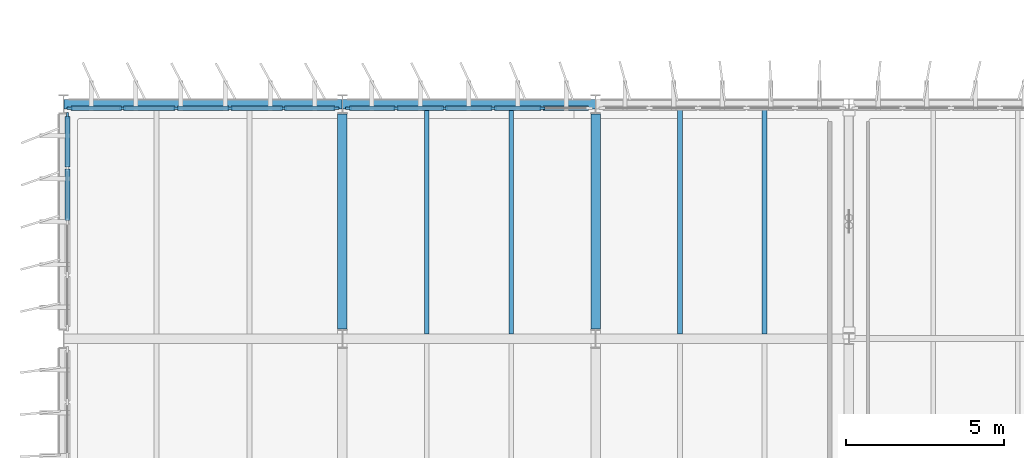
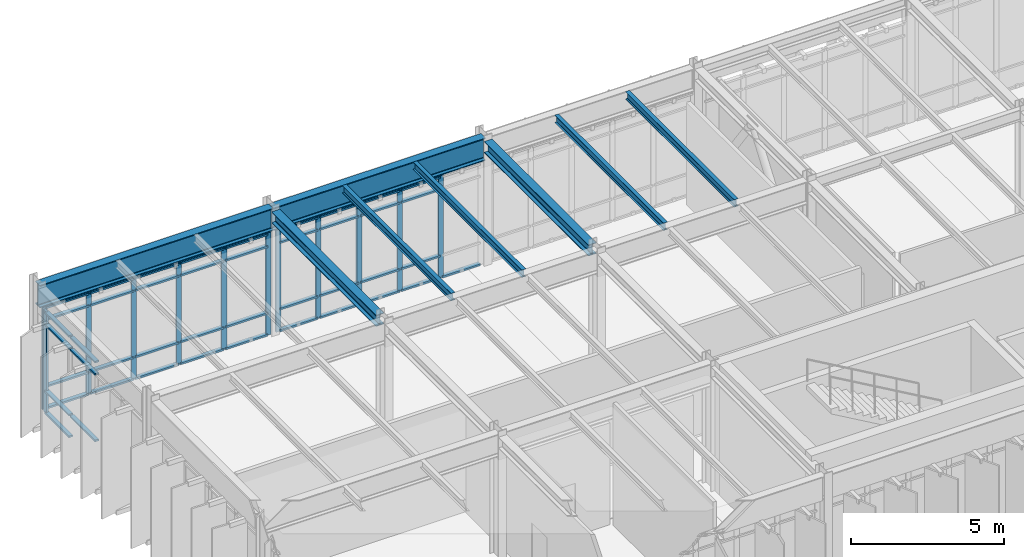
# One storey, part 10 of 48: 56 members, 8 beams, 3 elements without a shape of their own.
"""IFC4 building model written with IfcOpenShell, lengths in metres."""

import ifcopenshell
import ifcopenshell.guid

model = None  # the IFC model being written
_history = None  # IfcOwnerHistory: only IFC2X3 demands one
_inside = {}  # id of a spatial element -> (the spatial element, [elements in it])
_under = {}  # id of a project, library or spatial element -> (it, [spatial elements below it])
_declared = {}  # id of a project -> (the project, [libraries it declares])
_typed = {}  # id of a type object -> (the type object, [elements of that type])
_made_of = {}  # id of a material, layer set ... -> (it, [elements and type objects made of it])


def new_model(schema):
    """Start an empty IFC model of exactly this schema.

    Asked for "IFC4X3", IfcOpenShell would pick the latest addendum, in which some entities
    have other attributes; the version numbers below select the first issue.
    IFC2X3 requires an IfcOwnerHistory on every rooted entity: one is made here for all.
    """
    global model, _history
    if schema == "IFC4X3":
        model = ifcopenshell.file(schema_version=(4, 3, 0, 0))
    else:
        model = ifcopenshell.file(schema=schema)
    _inside.clear()
    _under.clear()
    _declared.clear()
    _typed.clear()
    _made_of.clear()
    _history = None
    if model.schema == "IFC2X3":
        org = make("IfcOrganization", Name="unknown")
        user = make(
            "IfcPersonAndOrganization",
            ThePerson=make("IfcPerson", FamilyName="unknown"),
            TheOrganization=org,
        )
        app = make(
            "IfcApplication",
            ApplicationDeveloper=org,
            Version="unknown",
            ApplicationFullName="unknown",
            ApplicationIdentifier="unknown",
        )
        _history = make(
            "IfcOwnerHistory",
            OwningUser=user,
            OwningApplication=app,
            ChangeAction="ADDED",
            CreationDate=0,
        )
    return model


def make(cls, **values):
    """One entity of the class cls with the attributes given. An attribute that is None is left unset."""
    return model.create_entity(
        cls, **{name: value for name, value in values.items() if value is not None}
    )


def rooted(cls, **values):
    """An entity with a GlobalId (a new one), such as an element, a storey or a relation."""
    return make(cls, GlobalId=ifcopenshell.guid.new(), OwnerHistory=_history, **values)


def si_unit(unit_type, name, prefix=None):
    """IfcSIUnit, for example si_unit("LENGTHUNIT", "METRE", prefix="MILLI")."""
    return make("IfcSIUnit", UnitType=unit_type, Prefix=prefix, Name=name)


def assignment(units):
    """IfcUnitAssignment: the units of a project."""
    return None if units is None else make("IfcUnitAssignment", Units=units)


def point(xyz):
    """IfcCartesianPoint."""
    return None if xyz is None else make("IfcCartesianPoint", Coordinates=xyz)


def direction(xyz):
    """IfcDirection."""
    return None if xyz is None else make("IfcDirection", DirectionRatios=xyz)


def frame(location, z_axis=None, x_axis=None):
    """IfcAxis2Placement3D, a coordinate frame: its origin and axes. An axis left out is left unset."""
    return make(
        "IfcAxis2Placement3D",
        Location=point(location),
        Axis=direction(z_axis),
        RefDirection=direction(x_axis),
    )


def frame_2d(location, x_axis=None):
    """IfcAxis2Placement2D, a coordinate frame in the plane: its origin and x axis."""
    return make(
        "IfcAxis2Placement2D", Location=point(location), RefDirection=direction(x_axis)
    )


def origin():
    """The frame at (0, 0, 0) with its axes left unset."""
    return frame((0.0, 0.0, 0.0))


def origin_2d():
    """The frame at (0, 0) in the plane with its x axis left unset."""
    return frame_2d((0.0, 0.0))


def place(relative_to, where):
    """IfcLocalPlacement: puts the frame where relative to a parent placement (None: the world)."""
    return make(
        "IfcLocalPlacement", PlacementRelTo=relative_to, RelativePlacement=where
    )


def context(
    kind, dimensions, precision=None, world=None, true_north=None, identifier=None
):
    """IfcGeometricRepresentationContext, for example the 3D "Model" context."""
    return make(
        "IfcGeometricRepresentationContext",
        ContextIdentifier=identifier,
        ContextType=kind,
        CoordinateSpaceDimension=dimensions,
        Precision=precision,
        WorldCoordinateSystem=world,
        TrueNorth=true_north,
    )


def subcontext(parent, identifier, kind, view, scale=None):
    """IfcGeometricRepresentationSubContext, for example "Body" below "Model"."""
    return make(
        "IfcGeometricRepresentationSubContext",
        ContextIdentifier=identifier,
        ContextType=kind,
        ParentContext=parent,
        TargetScale=scale,
        TargetView=view,
    )


def project(units=None, contexts=None):
    """IfcProject with its units and contexts."""
    return rooted(
        "IfcProject",
        Name="project",
        RepresentationContexts=contexts,
        UnitsInContext=assignment(units),
    )


def spatial(cls, under=None, at=None, **own):
    """A site, building, storey or space (cls), placed at a placement, below another one or the project."""
    s = rooted(cls, ObjectPlacement=at, **own)
    if under is not None:
        _under.setdefault(under.id(), (under, []))[1].append(s)
    return s


def profile(cls, at=None, kind="AREA", **sizes):
    """A parametric profile (cls). Its sizes go by their IFC names, for example OverallWidth=200.0."""
    return make(cls, ProfileType=kind, Position=at, **sizes)


def rectangle(**sizes):
    """IfcRectangleProfileDef."""
    return profile("IfcRectangleProfileDef", **sizes)


def i_section(**sizes):
    """IfcIShapeProfileDef."""
    return profile("IfcIShapeProfileDef", **sizes)


def extrude(swept, where, along, depth):
    """IfcExtrudedAreaSolid: the profile swept, set in the frame where, extruded along a direction by depth."""
    return make(
        "IfcExtrudedAreaSolid",
        SweptArea=swept,
        Position=where,
        ExtrudedDirection=direction(along),
        Depth=depth,
    )


def shape(context_of_items, identifier, shape_type, items):
    """IfcShapeRepresentation: the items that make up one representation, for example the "Body"."""
    return make(
        "IfcShapeRepresentation",
        ContextOfItems=context_of_items,
        RepresentationIdentifier=identifier,
        RepresentationType=shape_type,
        Items=items,
    )


def material(Name=None, Category=None):
    """IfcMaterial."""
    return make("IfcMaterial", Name=Name, Category=Category)


def layer(
    of_material, thickness, ventilated=None, Name=None, Category=None, Priority=None
):
    """IfcMaterialLayer: one layer of a wall or slab, of a material (None: an air gap)."""
    return make(
        "IfcMaterialLayer",
        Material=of_material,
        LayerThickness=thickness,
        IsVentilated=ventilated,
        Name=Name,
        Category=Category,
        Priority=Priority,
    )


def layer_set(layers, Name=None):
    """IfcMaterialLayerSet."""
    return make("IfcMaterialLayerSet", MaterialLayers=layers, LayerSetName=Name)


def material_profile(
    of_material, cross_section, Name=None, Category=None, Priority=None
):
    """IfcMaterialProfile: a cross section and its material."""
    return make(
        "IfcMaterialProfile",
        Name=Name,
        Material=of_material,
        Profile=cross_section,
        Priority=Priority,
        Category=Category,
    )


def profile_set(profiles, Name=None, composite=None):
    """IfcMaterialProfileSet."""
    return make(
        "IfcMaterialProfileSet",
        Name=Name,
        MaterialProfiles=profiles,
        CompositeProfile=composite,
    )


def made_of(thing, what):
    """Note that an element or type object is made of a material, layer set ...; save() writes the relation."""
    if what is not None:
        _made_of.setdefault(what.id(), (what, []))[1].append(thing)
    return thing


def type_object(cls, material=None, **own):
    """A type object (cls), such as IfcWallType, which elements share."""
    return made_of(rooted(cls, **own), material)


def element(
    cls,
    number,
    at=None,
    inside=None,
    cuts=None,
    type_object=None,
    material=None,
    context=None,
    identifier="Body",
    shape_type=None,
    held_by="IfcProductDefinitionShape",
    body=None,
    shapes=None,
    **own,
):
    """One element of the class cls, such as IfcWall. Its Tag is "e" and its number.

    at: its placement. inside: the storey or other place that contains it. cuts: it is an
    opening in that element (IfcRelVoidsElement). A single representation is given by context,
    identifier, shape_type and body (its items); several are given by shapes. held_by: the class
    of the entity that holds the representations. save() writes the other relations.
    """
    e = rooted(cls, Tag="e%d" % number, ObjectPlacement=at, **own)
    if body is not None:
        shapes = [shape(context, identifier, shape_type, body)]
    if shapes is not None:
        e.Representation = make(held_by, Representations=shapes)
    if inside is not None:
        _inside.setdefault(inside.id(), (inside, []))[1].append(e)
    if cuts is not None:
        rooted(
            "IfcRelVoidsElement", RelatingBuildingElement=cuts, RelatedOpeningElement=e
        )
    if type_object is not None:
        _typed.setdefault(type_object.id(), (type_object, []))[1].append(e)
    return made_of(e, material)


def aggregate(whole, parts):
    """IfcRelAggregates: a whole, such as a stair, and the parts it consists of."""
    return rooted("IfcRelAggregates", RelatingObject=whole, RelatedObjects=parts)


def save(model, path):
    """Write the relations noted so far, then the file.

    IfcRelAggregates (storeys below a building ...), IfcRelContainedInSpatialStructure (elements
    in a storey), IfcRelDefinesByType, IfcRelAssociatesMaterial and IfcRelDeclares: one each for
    every whole, place, type object, material and project.
    """
    for whole, parts in _under.values():
        aggregate(whole, parts)
    for where, things in _inside.values():
        rooted(
            "IfcRelContainedInSpatialStructure",
            RelatedElements=things,
            RelatingStructure=where,
        )
    for kind, things in _typed.values():
        rooted("IfcRelDefinesByType", RelatedObjects=things, RelatingType=kind)
    for what, things in _made_of.values():
        rooted("IfcRelAssociatesMaterial", RelatedObjects=things, RelatingMaterial=what)
    for by, libraries in _declared.values():
        rooted("IfcRelDeclares", RelatingContext=by, RelatedDefinitions=libraries)
    model.write(path)


model = new_model("IFC4")

# Units and contexts
model_context = context("Model", 3, precision=1e-05, world=origin(), true_north=direction((0.0, 1.0)))
body_context = subcontext(model_context, "Body", "Model", "MODEL_VIEW")
ifc_project = project(units=[si_unit("LENGTHUNIT", "METRE"), si_unit("AREAUNIT", "SQUARE_METRE"), si_unit("VOLUMEUNIT", "CUBIC_METRE"), si_unit("PLANEANGLEUNIT", "RADIAN"), si_unit("MASSUNIT", "GRAM", prefix="KILO")], contexts=[model_context])

# Site, building, storey
site_placement = place(None, origin())
site = spatial("IfcSite", under=ifc_project, at=site_placement, CompositionType="ELEMENT")
building_placement = place(site_placement, origin())
building = spatial("IfcBuilding", under=site, at=building_placement, Name="Valkorina Park Police Headquarters", CompositionType="ELEMENT")
storey_placement = place(building_placement, frame((0.0, 0.0, 18.10009765625)))
storey = spatial("IfcBuildingStorey", under=building, at=storey_placement, Name="L05", CompositionType="ELEMENT", Elevation=18.10009765625)

# Beams
ifc_material_1 = material(Name="Steel S355", Category="steel")
ifc_material_profile_1 = material_profile(ifc_material_1, i_section(OverallWidth=0.300048828125, OverallDepth=0.449951171875, WebThickness=0.013916015625, FlangeThickness=0.02587890625, FilletRadius=0.027099609375, at=origin_2d()), Name="HEB 450")
ifc_profile_set_1 = profile_set([ifc_material_profile_1], Name="Steel S355")
beam_type_1 = type_object("IfcBeamType", Name="BM-S355-HEB450-BM", PredefinedType="BEAM", material=ifc_profile_set_1)
for number, where, z_axis, x_axis, name in (
    (1, (8.800048828125, 52.10009765625, 4.7548828125), (0.0, 1.0, 0.0), (-1.0, 0.0, 0.0), "L05 Framing Beam 2522"),
    (2, (16.800048828125, 52.10009765625, 4.7548828125), (0.0, 1.0, 0.0), (-1.0, 0.0, 0.0), "L05 Framing Beam 2529"),
):
    element("IfcBeam", number, at=place(storey_placement, frame(where, z_axis=z_axis, x_axis=x_axis)), inside=storey, type_object=beam_type_1, Name=name, PredefinedType="BEAM", context=body_context, shape_type="SweptSolid", body=[
        extrude(i_section(OverallWidth=0.300048828125, OverallDepth=0.449951171875, WebThickness=0.013916015625, FlangeThickness=0.02587890625, FilletRadius=0.027099609375, at=origin_2d()), origin(), (0.0, 0.0, 1.0), 6.7998046875),
    ])
ifc_material_profile_2 = material_profile(ifc_material_1, i_section(OverallWidth=0.300048828125, OverallDepth=0.89990234375, WebThickness=0.0185546875, FlangeThickness=0.034912109375, FilletRadius=0.030029296875, at=origin_2d()), Name="HEB 900")
ifc_profile_set_2 = profile_set([ifc_material_profile_2], Name="Steel S355")
beam_type_2 = type_object("IfcBeamType", Name="BM-S355-HEB900-EXT", PredefinedType="SPANDREL", material=ifc_profile_set_2)
beam_1_placement = place(storey_placement, frame((0.0078125, 59.199951171875, 4.52978515625), z_axis=(1.0, 0.0, 0.0), x_axis=(0.0, 1.0, 0.0)))
element("IfcBeam", 3, at=beam_1_placement, inside=storey, type_object=beam_type_2, Name="L05 Framing Beam 2487", PredefinedType="SPANDREL", context=body_context, shape_type="SweptSolid", body=[
    extrude(i_section(OverallWidth=0.300048828125, OverallDepth=0.89990234375, WebThickness=0.0185546875, FlangeThickness=0.034912109375, FilletRadius=0.030029296875, at=origin_2d()), origin(), (0.0, 0.0, 1.0), 8.784423828125),
])
beam_2_placement = place(storey_placement, frame((8.8076171875, 59.199951171875, 4.52978515625), z_axis=(1.0, 0.0, 0.0), x_axis=(0.0, 1.0, 0.0)))
element("IfcBeam", 4, at=beam_2_placement, inside=storey, type_object=beam_type_2, Name="L05 Framing Beam 2488", PredefinedType="SPANDREL", context=body_context, shape_type="SweptSolid", body=[
    extrude(i_section(OverallWidth=0.300048828125, OverallDepth=0.89990234375, WebThickness=0.0185546875, FlangeThickness=0.034912109375, FilletRadius=0.030029296875, at=origin_2d()), origin(), (0.0, 0.0, 1.0), 7.984619140625),
])
ifc_material_profile_3 = material_profile(ifc_material_1, i_section(OverallWidth=0.14990234375, OverallDepth=0.300048828125, WebThickness=0.007080078125, FlangeThickness=0.0107421875, FilletRadius=0.014892578125, at=origin_2d()), Name="IPE 300")
ifc_profile_set_3 = profile_set([ifc_material_profile_3], Name="Steel S355")
beam_type_3 = type_object("IfcBeamType", Name="BM-S355-IPE300-JST", PredefinedType="JOIST", material=ifc_profile_set_3)
for number, where, z_axis, x_axis, name in (
    (5, (11.466796875, 51.949951171875, 4.829833984375), (0.0, 1.0, 0.0), (-1.0, 0.0, 0.0), "L05 Framing Beam 2523"),
    (6, (14.13330078125, 51.949951171875, 4.829833984375), (0.0, 1.0, 0.0), (-1.0, 0.0, 0.0), "L05 Framing Beam 2524"),
    (7, (19.466796875, 51.949951171875, 4.829833984375), (0.0, 1.0, 0.0), (-1.0, 0.0, 0.0), "L05 Framing Beam 2530"),
    (8, (22.13330078125, 51.949951171875, 4.829833984375), (0.0, 1.0, 0.0), (-1.0, 0.0, 0.0), "L05 Framing Beam 2531"),
):
    element("IfcBeam", number, at=place(storey_placement, frame(where, z_axis=z_axis, x_axis=x_axis)), inside=storey, type_object=beam_type_3, Name=name, PredefinedType="JOIST", context=body_context, shape_type="SweptSolid", body=[
        extrude(i_section(OverallWidth=0.14990234375, OverallDepth=0.300048828125, WebThickness=0.007080078125, FlangeThickness=0.0107421875, FilletRadius=0.014892578125, at=origin_2d()), origin(), (0.0, 0.0, 1.0), 7.10009765625),
    ])

# Curtain wall, member
ifc_material_2 = material(Name="Thermally broken aluminium AW-6060", Category="aluminium")
ifc_layer_1 = layer(ifc_material_2, 0.18994140625)
ifc_layer_set_1 = layer_set([ifc_layer_1], Name="Thermally broken aluminium AW-6060")
curtain_wall_type_1 = type_object("IfcCurtainWallType", Name="CW-V5-6780x4070", PredefinedType="NOTDEFINED", material=ifc_layer_set_1)
curtain_wall_1_placement = place(storey_placement, origin())
curtain_wall_1 = element("IfcCurtainWall", 9, at=curtain_wall_1_placement, inside=storey, type_object=curtain_wall_type_1, Name="L05 Unitised Curtain Wall 077", PredefinedType="NOTDEFINED")
ifc_material_profile_4 = material_profile(ifc_material_2, rectangle(XDim=0.070068359375, YDim=0.18994140625, at=origin_2d()), Name="CWM-02 70x190")
ifc_profile_set_4 = profile_set([ifc_material_profile_4], Name="Thermally broken aluminium AW-6060")
member_type_1 = type_object("IfcMemberType", Name="CWM-70x190", PredefinedType="MULLION", material=ifc_profile_set_4)
member_1_placement = place(storey_placement, frame((0.1201171875, 58.85498046875, 0.0), z_axis=(0.0, 0.0, 1.0), x_axis=(-1.0, 0.0, 0.0)))
member_1 = element("IfcMember", 10, at=member_1_placement, type_object=member_type_1, Name="CW-V5-678-407 mullion 5", PredefinedType="MULLION", context=body_context, shape_type="SweptSolid", body=[
    extrude(rectangle(XDim=0.070068359375, YDim=0.18994140625, at=origin_2d()), origin(), (0.0, 0.0, 1.0), 4.06982421875),
])

# Curtain wall, members
ifc_layer_2 = layer(ifc_material_2, 0.18994140625)
ifc_layer_set_2 = layer_set([ifc_layer_2], Name="Thermally broken aluminium AW-6060")
curtain_wall_type_2 = type_object("IfcCurtainWallType", Name="CW-V5-8480x4070", PredefinedType="NOTDEFINED", material=ifc_layer_set_2)
curtain_wall_2_placement = place(storey_placement, origin())
curtain_wall_2 = element("IfcCurtainWall", 11, at=curtain_wall_2_placement, inside=storey, type_object=curtain_wall_type_2, Name="L05 Unitised Curtain Wall 078", PredefinedType="NOTDEFINED")
member_2_placement = place(storey_placement, frame((0.195068359375, 59.080078125, 0.0), z_axis=(0.0, 0.0, 1.0), x_axis=(0.0, 1.0, 0.0)))
member_2 = element("IfcMember", 12, at=member_2_placement, type_object=member_type_1, Name="CW-V5-848-407 mullion 1", PredefinedType="MULLION", context=body_context, shape_type="SweptSolid", body=[
    extrude(rectangle(XDim=0.070068359375, YDim=0.18994140625, at=origin_2d()), origin(), (0.0, 0.0, 1.0), 4.06982421875),
])
member_3_placement = place(storey_placement, frame((1.85595703125, 59.080078125, 0.0), z_axis=(0.0, 0.0, 1.0), x_axis=(0.0, 1.0, 0.0)))
member_3 = element("IfcMember", 13, at=member_3_placement, type_object=member_type_1, Name="CW-V5-848-407 mullion 2", PredefinedType="MULLION", context=body_context, shape_type="SweptSolid", body=[
    extrude(rectangle(XDim=0.070068359375, YDim=0.18994140625, at=origin_2d()), origin(), (0.0, 0.0, 1.0), 4.06982421875),
])
member_4_placement = place(storey_placement, frame((3.552001953125, 59.080078125, 0.0), z_axis=(0.0, 0.0, 1.0), x_axis=(0.0, 1.0, 0.0)))
member_4 = element("IfcMember", 14, at=member_4_placement, type_object=member_type_1, Name="CW-V5-848-407 mullion 3", PredefinedType="MULLION", context=body_context, shape_type="SweptSolid", body=[
    extrude(rectangle(XDim=0.070068359375, YDim=0.18994140625, at=origin_2d()), origin(), (0.0, 0.0, 1.0), 4.06982421875),
])
member_5_placement = place(storey_placement, frame((5.248046875, 59.080078125, 0.0), z_axis=(0.0, 0.0, 1.0), x_axis=(0.0, 1.0, 0.0)))
member_5 = element("IfcMember", 15, at=member_5_placement, type_object=member_type_1, Name="CW-V5-848-407 mullion 4", PredefinedType="MULLION", context=body_context, shape_type="SweptSolid", body=[
    extrude(rectangle(XDim=0.070068359375, YDim=0.18994140625, at=origin_2d()), origin(), (0.0, 0.0, 1.0), 4.06982421875),
])
member_6_placement = place(storey_placement, frame((6.944091796875, 59.080078125, 0.0), z_axis=(0.0, 0.0, 1.0), x_axis=(0.0, 1.0, 0.0)))
member_6 = element("IfcMember", 16, at=member_6_placement, type_object=member_type_1, Name="CW-V5-848-407 mullion 5", PredefinedType="MULLION", context=body_context, shape_type="SweptSolid", body=[
    extrude(rectangle(XDim=0.070068359375, YDim=0.18994140625, at=origin_2d()), origin(), (0.0, 0.0, 1.0), 4.06982421875),
])
member_7_placement = place(storey_placement, frame((8.60498046875, 59.080078125, 0.0), z_axis=(0.0, 0.0, 1.0), x_axis=(0.0, 1.0, 0.0)))
member_7 = element("IfcMember", 17, at=member_7_placement, type_object=member_type_1, Name="CW-V5-848-407 mullion 6", PredefinedType="MULLION", context=body_context, shape_type="SweptSolid", body=[
    extrude(rectangle(XDim=0.070068359375, YDim=0.18994140625, at=origin_2d()), origin(), (0.0, 0.0, 1.0), 4.06982421875),
])

ifc_layer_3 = layer(ifc_material_2, 0.18994140625)
ifc_layer_set_3 = layer_set([ifc_layer_3], Name="Thermally broken aluminium AW-6060")
curtain_wall_type_3 = type_object("IfcCurtainWallType", Name="CW-V5-7680x4070", PredefinedType="NOTDEFINED", material=ifc_layer_set_3)
curtain_wall_3_placement = place(storey_placement, origin())
curtain_wall_3 = element("IfcCurtainWall", 18, at=curtain_wall_3_placement, inside=storey, type_object=curtain_wall_type_3, Name="L05 Unitised Curtain Wall 079", PredefinedType="NOTDEFINED")
member_8_placement = place(storey_placement, frame((8.9951171875, 59.080078125, 0.0), z_axis=(0.0, 0.0, 1.0), x_axis=(0.0, 1.0, 0.0)))
member_8 = element("IfcMember", 19, at=member_8_placement, type_object=member_type_1, Name="CW-V5-768-407 mullion 1", PredefinedType="MULLION", context=body_context, shape_type="SweptSolid", body=[
    extrude(rectangle(XDim=0.070068359375, YDim=0.18994140625, at=origin_2d()), origin(), (0.0, 0.0, 1.0), 4.06982421875),
])
member_9_placement = place(storey_placement, frame((10.49609375, 59.080078125, 0.0), z_axis=(0.0, 0.0, 1.0), x_axis=(0.0, 1.0, 0.0)))
member_9 = element("IfcMember", 20, at=member_9_placement, type_object=member_type_1, Name="CW-V5-768-407 mullion 2", PredefinedType="MULLION", context=body_context, shape_type="SweptSolid", body=[
    extrude(rectangle(XDim=0.070068359375, YDim=0.18994140625, at=origin_2d()), origin(), (0.0, 0.0, 1.0), 4.06982421875),
])
member_10_placement = place(storey_placement, frame((12.031982421875, 59.080078125, 0.0), z_axis=(0.0, 0.0, 1.0), x_axis=(0.0, 1.0, 0.0)))
member_10 = element("IfcMember", 21, at=member_10_placement, type_object=member_type_1, Name="CW-V5-768-407 mullion 3", PredefinedType="MULLION", context=body_context, shape_type="SweptSolid", body=[
    extrude(rectangle(XDim=0.070068359375, YDim=0.18994140625, at=origin_2d()), origin(), (0.0, 0.0, 1.0), 4.06982421875),
])
member_11_placement = place(storey_placement, frame((13.568115234375, 59.080078125, 0.0), z_axis=(0.0, 0.0, 1.0), x_axis=(0.0, 1.0, 0.0)))
member_11 = element("IfcMember", 22, at=member_11_placement, type_object=member_type_1, Name="CW-V5-768-407 mullion 4", PredefinedType="MULLION", context=body_context, shape_type="SweptSolid", body=[
    extrude(rectangle(XDim=0.070068359375, YDim=0.18994140625, at=origin_2d()), origin(), (0.0, 0.0, 1.0), 4.06982421875),
])
member_12_placement = place(storey_placement, frame((15.10400390625, 59.080078125, 0.0), z_axis=(0.0, 0.0, 1.0), x_axis=(0.0, 1.0, 0.0)))
member_12 = element("IfcMember", 23, at=member_12_placement, type_object=member_type_1, Name="CW-V5-768-407 mullion 5", PredefinedType="MULLION", context=body_context, shape_type="SweptSolid", body=[
    extrude(rectangle(XDim=0.070068359375, YDim=0.18994140625, at=origin_2d()), origin(), (0.0, 0.0, 1.0), 4.06982421875),
])

# Member
ifc_material_profile_5 = material_profile(ifc_material_2, rectangle(XDim=0.14990234375, YDim=0.070068359375, at=origin_2d()), Name="CWT-02 150x70")
ifc_profile_set_5 = profile_set([ifc_material_profile_5], Name="Thermally broken aluminium AW-6060")
member_type_2 = type_object("IfcMemberType", Name="CWT-150x70", PredefinedType="USERDEFINED", material=ifc_profile_set_5)
member_13_placement = place(storey_placement, frame((0.1201171875, 55.534912109375, 0.89990234375), z_axis=(0.0, 1.0, 0.0), x_axis=(-1.0, 0.0, 0.0)))
member_13 = element("IfcMember", 24, at=member_13_placement, type_object=member_type_2, Name="CW-V5-678-407 transom 3.2", ObjectType="TRANSOM", PredefinedType="USERDEFINED", context=body_context, shape_type="SweptSolid", body=[
    extrude(rectangle(XDim=0.14990234375, YDim=0.070068359375, at=origin_2d()), origin(), (0.0, 0.0, 1.0), 1.625),
])

member_14_placement = place(storey_placement, frame((0.1201171875, 55.534912109375, 3.5498046875), z_axis=(0.0, 1.0, 0.0), x_axis=(-1.0, 0.0, 0.0)))
member_14 = element("IfcMember", 25, at=member_14_placement, type_object=member_type_2, Name="CW-V5-678-407 transom 3.3", ObjectType="TRANSOM", PredefinedType="USERDEFINED", context=body_context, shape_type="SweptSolid", body=[
    extrude(rectangle(XDim=0.14990234375, YDim=0.070068359375, at=origin_2d()), origin(), (0.0, 0.0, 1.0), 1.625),
])

member_15_placement = place(storey_placement, frame((0.1201171875, 55.534912109375, 4.034912109375), z_axis=(0.0, 1.0, 0.0), x_axis=(-1.0, 0.0, 0.0)))
member_15 = element("IfcMember", 26, at=member_15_placement, type_object=member_type_2, Name="CW-V5-678-407 transom 3.4", ObjectType="TRANSOM", PredefinedType="USERDEFINED", context=body_context, shape_type="SweptSolid", body=[
    extrude(rectangle(XDim=0.14990234375, YDim=0.070068359375, at=origin_2d()), origin(), (0.0, 0.0, 1.0), 1.625),
])

member_16_placement = place(storey_placement, frame((0.1201171875, 57.22998046875, 0.034912109375), z_axis=(0.0, 1.0, 0.0), x_axis=(-1.0, 0.0, 0.0)))
member_16 = element("IfcMember", 27, at=member_16_placement, type_object=member_type_2, Name="CW-V5-678-407 transom 4.1", ObjectType="TRANSOM", PredefinedType="USERDEFINED", context=body_context, shape_type="SweptSolid", body=[
    extrude(rectangle(XDim=0.14990234375, YDim=0.070068359375, at=origin_2d()), origin(), (0.0, 0.0, 1.0), 1.590087890625),
])

member_17_placement = place(storey_placement, frame((0.1201171875, 57.22998046875, 0.89990234375), z_axis=(0.0, 1.0, 0.0), x_axis=(-1.0, 0.0, 0.0)))
member_17 = element("IfcMember", 28, at=member_17_placement, type_object=member_type_2, Name="CW-V5-678-407 transom 4.2", ObjectType="TRANSOM", PredefinedType="USERDEFINED", context=body_context, shape_type="SweptSolid", body=[
    extrude(rectangle(XDim=0.14990234375, YDim=0.070068359375, at=origin_2d()), origin(), (0.0, 0.0, 1.0), 1.590087890625),
])

member_18_placement = place(storey_placement, frame((0.1201171875, 57.22998046875, 3.5498046875), z_axis=(0.0, 1.0, 0.0), x_axis=(-1.0, 0.0, 0.0)))
member_18 = element("IfcMember", 29, at=member_18_placement, type_object=member_type_2, Name="CW-V5-678-407 transom 4.3", ObjectType="TRANSOM", PredefinedType="USERDEFINED", context=body_context, shape_type="SweptSolid", body=[
    extrude(rectangle(XDim=0.14990234375, YDim=0.070068359375, at=origin_2d()), origin(), (0.0, 0.0, 1.0), 1.590087890625),
])

member_19_placement = place(storey_placement, frame((0.1201171875, 57.22998046875, 4.034912109375), z_axis=(0.0, 1.0, 0.0), x_axis=(-1.0, 0.0, 0.0)))
member_19 = element("IfcMember", 30, at=member_19_placement, type_object=member_type_2, Name="CW-V5-678-407 transom 4.4", ObjectType="TRANSOM", PredefinedType="USERDEFINED", context=body_context, shape_type="SweptSolid", body=[
    extrude(rectangle(XDim=0.14990234375, YDim=0.070068359375, at=origin_2d()), origin(), (0.0, 0.0, 1.0), 1.590087890625),
])

aggregate(curtain_wall_1, [member_1, member_13, member_14, member_15, member_16, member_17, member_18, member_19])

member_20_placement = place(storey_placement, frame((0.22998046875, 59.080078125, 0.034912109375), z_axis=(1.0, 0.0, 0.0), x_axis=(0.0, 1.0, 0.0)))
member_20 = element("IfcMember", 31, at=member_20_placement, type_object=member_type_2, Name="CW-V5-848-407 transom 1.1", ObjectType="TRANSOM", PredefinedType="USERDEFINED", context=body_context, shape_type="SweptSolid", body=[
    extrude(rectangle(XDim=0.14990234375, YDim=0.070068359375, at=origin_2d()), origin(), (0.0, 0.0, 1.0), 1.591064453125),
])

member_21_placement = place(storey_placement, frame((0.22998046875, 59.080078125, 0.89990234375), z_axis=(1.0, 0.0, 0.0), x_axis=(0.0, 1.0, 0.0)))
member_21 = element("IfcMember", 32, at=member_21_placement, type_object=member_type_2, Name="CW-V5-848-407 transom 1.2", ObjectType="TRANSOM", PredefinedType="USERDEFINED", context=body_context, shape_type="SweptSolid", body=[
    extrude(rectangle(XDim=0.14990234375, YDim=0.070068359375, at=origin_2d()), origin(), (0.0, 0.0, 1.0), 1.591064453125),
])

member_22_placement = place(storey_placement, frame((0.22998046875, 59.080078125, 3.5498046875), z_axis=(1.0, 0.0, 0.0), x_axis=(0.0, 1.0, 0.0)))
member_22 = element("IfcMember", 33, at=member_22_placement, type_object=member_type_2, Name="CW-V5-848-407 transom 1.3", ObjectType="TRANSOM", PredefinedType="USERDEFINED", context=body_context, shape_type="SweptSolid", body=[
    extrude(rectangle(XDim=0.14990234375, YDim=0.070068359375, at=origin_2d()), origin(), (0.0, 0.0, 1.0), 1.591064453125),
])

member_23_placement = place(storey_placement, frame((0.22998046875, 59.080078125, 4.034912109375), z_axis=(1.0, 0.0, 0.0), x_axis=(0.0, 1.0, 0.0)))
member_23 = element("IfcMember", 34, at=member_23_placement, type_object=member_type_2, Name="CW-V5-848-407 transom 1.4", ObjectType="TRANSOM", PredefinedType="USERDEFINED", context=body_context, shape_type="SweptSolid", body=[
    extrude(rectangle(XDim=0.14990234375, YDim=0.070068359375, at=origin_2d()), origin(), (0.0, 0.0, 1.0), 1.591064453125),
])

member_24_placement = place(storey_placement, frame((1.89111328125, 59.080078125, 0.034912109375), z_axis=(1.0, 0.0, 0.0), x_axis=(0.0, 1.0, 0.0)))
member_24 = element("IfcMember", 35, at=member_24_placement, type_object=member_type_2, Name="CW-V5-848-407 transom 2.1", ObjectType="TRANSOM", PredefinedType="USERDEFINED", context=body_context, shape_type="SweptSolid", body=[
    extrude(rectangle(XDim=0.14990234375, YDim=0.070068359375, at=origin_2d()), origin(), (0.0, 0.0, 1.0), 1.6259765625),
])

member_25_placement = place(storey_placement, frame((1.89111328125, 59.080078125, 0.89990234375), z_axis=(1.0, 0.0, 0.0), x_axis=(0.0, 1.0, 0.0)))
member_25 = element("IfcMember", 36, at=member_25_placement, type_object=member_type_2, Name="CW-V5-848-407 transom 2.2", ObjectType="TRANSOM", PredefinedType="USERDEFINED", context=body_context, shape_type="SweptSolid", body=[
    extrude(rectangle(XDim=0.14990234375, YDim=0.070068359375, at=origin_2d()), origin(), (0.0, 0.0, 1.0), 1.6259765625),
])

member_26_placement = place(storey_placement, frame((1.89111328125, 59.080078125, 3.5498046875), z_axis=(1.0, 0.0, 0.0), x_axis=(0.0, 1.0, 0.0)))
member_26 = element("IfcMember", 37, at=member_26_placement, type_object=member_type_2, Name="CW-V5-848-407 transom 2.3", ObjectType="TRANSOM", PredefinedType="USERDEFINED", context=body_context, shape_type="SweptSolid", body=[
    extrude(rectangle(XDim=0.14990234375, YDim=0.070068359375, at=origin_2d()), origin(), (0.0, 0.0, 1.0), 1.6259765625),
])

member_27_placement = place(storey_placement, frame((1.89111328125, 59.080078125, 4.034912109375), z_axis=(1.0, 0.0, 0.0), x_axis=(0.0, 1.0, 0.0)))
member_27 = element("IfcMember", 38, at=member_27_placement, type_object=member_type_2, Name="CW-V5-848-407 transom 2.4", ObjectType="TRANSOM", PredefinedType="USERDEFINED", context=body_context, shape_type="SweptSolid", body=[
    extrude(rectangle(XDim=0.14990234375, YDim=0.070068359375, at=origin_2d()), origin(), (0.0, 0.0, 1.0), 1.6259765625),
])

member_28_placement = place(storey_placement, frame((3.5869140625, 59.080078125, 0.034912109375), z_axis=(1.0, 0.0, 0.0), x_axis=(0.0, 1.0, 0.0)))
member_28 = element("IfcMember", 39, at=member_28_placement, type_object=member_type_2, Name="CW-V5-848-407 transom 3.1", ObjectType="TRANSOM", PredefinedType="USERDEFINED", context=body_context, shape_type="SweptSolid", body=[
    extrude(rectangle(XDim=0.14990234375, YDim=0.070068359375, at=origin_2d()), origin(), (0.0, 0.0, 1.0), 1.6259765625),
])

member_29_placement = place(storey_placement, frame((3.5869140625, 59.080078125, 0.89990234375), z_axis=(1.0, 0.0, 0.0), x_axis=(0.0, 1.0, 0.0)))
member_29 = element("IfcMember", 40, at=member_29_placement, type_object=member_type_2, Name="CW-V5-848-407 transom 3.2", ObjectType="TRANSOM", PredefinedType="USERDEFINED", context=body_context, shape_type="SweptSolid", body=[
    extrude(rectangle(XDim=0.14990234375, YDim=0.070068359375, at=origin_2d()), origin(), (0.0, 0.0, 1.0), 1.6259765625),
])

member_30_placement = place(storey_placement, frame((3.5869140625, 59.080078125, 3.5498046875), z_axis=(1.0, 0.0, 0.0), x_axis=(0.0, 1.0, 0.0)))
member_30 = element("IfcMember", 41, at=member_30_placement, type_object=member_type_2, Name="CW-V5-848-407 transom 3.3", ObjectType="TRANSOM", PredefinedType="USERDEFINED", context=body_context, shape_type="SweptSolid", body=[
    extrude(rectangle(XDim=0.14990234375, YDim=0.070068359375, at=origin_2d()), origin(), (0.0, 0.0, 1.0), 1.6259765625),
])

member_31_placement = place(storey_placement, frame((3.5869140625, 59.080078125, 4.034912109375), z_axis=(1.0, 0.0, 0.0), x_axis=(0.0, 1.0, 0.0)))
member_31 = element("IfcMember", 42, at=member_31_placement, type_object=member_type_2, Name="CW-V5-848-407 transom 3.4", ObjectType="TRANSOM", PredefinedType="USERDEFINED", context=body_context, shape_type="SweptSolid", body=[
    extrude(rectangle(XDim=0.14990234375, YDim=0.070068359375, at=origin_2d()), origin(), (0.0, 0.0, 1.0), 1.6259765625),
])

member_32_placement = place(storey_placement, frame((5.282958984375, 59.080078125, 0.034912109375), z_axis=(1.0, 0.0, 0.0), x_axis=(0.0, 1.0, 0.0)))
member_32 = element("IfcMember", 43, at=member_32_placement, type_object=member_type_2, Name="CW-V5-848-407 transom 4.1", ObjectType="TRANSOM", PredefinedType="USERDEFINED", context=body_context, shape_type="SweptSolid", body=[
    extrude(rectangle(XDim=0.14990234375, YDim=0.070068359375, at=origin_2d()), origin(), (0.0, 0.0, 1.0), 1.6259765625),
])

member_33_placement = place(storey_placement, frame((5.282958984375, 59.080078125, 0.89990234375), z_axis=(1.0, 0.0, 0.0), x_axis=(0.0, 1.0, 0.0)))
member_33 = element("IfcMember", 44, at=member_33_placement, type_object=member_type_2, Name="CW-V5-848-407 transom 4.2", ObjectType="TRANSOM", PredefinedType="USERDEFINED", context=body_context, shape_type="SweptSolid", body=[
    extrude(rectangle(XDim=0.14990234375, YDim=0.070068359375, at=origin_2d()), origin(), (0.0, 0.0, 1.0), 1.6259765625),
])

member_34_placement = place(storey_placement, frame((5.282958984375, 59.080078125, 3.5498046875), z_axis=(1.0, 0.0, 0.0), x_axis=(0.0, 1.0, 0.0)))
member_34 = element("IfcMember", 45, at=member_34_placement, type_object=member_type_2, Name="CW-V5-848-407 transom 4.3", ObjectType="TRANSOM", PredefinedType="USERDEFINED", context=body_context, shape_type="SweptSolid", body=[
    extrude(rectangle(XDim=0.14990234375, YDim=0.070068359375, at=origin_2d()), origin(), (0.0, 0.0, 1.0), 1.6259765625),
])

member_35_placement = place(storey_placement, frame((5.282958984375, 59.080078125, 4.034912109375), z_axis=(1.0, 0.0, 0.0), x_axis=(0.0, 1.0, 0.0)))
member_35 = element("IfcMember", 46, at=member_35_placement, type_object=member_type_2, Name="CW-V5-848-407 transom 4.4", ObjectType="TRANSOM", PredefinedType="USERDEFINED", context=body_context, shape_type="SweptSolid", body=[
    extrude(rectangle(XDim=0.14990234375, YDim=0.070068359375, at=origin_2d()), origin(), (0.0, 0.0, 1.0), 1.6259765625),
])

member_36_placement = place(storey_placement, frame((6.97900390625, 59.080078125, 0.034912109375), z_axis=(1.0, 0.0, 0.0), x_axis=(0.0, 1.0, 0.0)))
member_36 = element("IfcMember", 47, at=member_36_placement, type_object=member_type_2, Name="CW-V5-848-407 transom 5.1", ObjectType="TRANSOM", PredefinedType="USERDEFINED", context=body_context, shape_type="SweptSolid", body=[
    extrude(rectangle(XDim=0.14990234375, YDim=0.070068359375, at=origin_2d()), origin(), (0.0, 0.0, 1.0), 1.591064453125),
])

member_37_placement = place(storey_placement, frame((6.97900390625, 59.080078125, 0.89990234375), z_axis=(1.0, 0.0, 0.0), x_axis=(0.0, 1.0, 0.0)))
member_37 = element("IfcMember", 48, at=member_37_placement, type_object=member_type_2, Name="CW-V5-848-407 transom 5.2", ObjectType="TRANSOM", PredefinedType="USERDEFINED", context=body_context, shape_type="SweptSolid", body=[
    extrude(rectangle(XDim=0.14990234375, YDim=0.070068359375, at=origin_2d()), origin(), (0.0, 0.0, 1.0), 1.591064453125),
])

member_38_placement = place(storey_placement, frame((6.97900390625, 59.080078125, 3.5498046875), z_axis=(1.0, 0.0, 0.0), x_axis=(0.0, 1.0, 0.0)))
member_38 = element("IfcMember", 49, at=member_38_placement, type_object=member_type_2, Name="CW-V5-848-407 transom 5.3", ObjectType="TRANSOM", PredefinedType="USERDEFINED", context=body_context, shape_type="SweptSolid", body=[
    extrude(rectangle(XDim=0.14990234375, YDim=0.070068359375, at=origin_2d()), origin(), (0.0, 0.0, 1.0), 1.591064453125),
])

member_39_placement = place(storey_placement, frame((6.97900390625, 59.080078125, 4.034912109375), z_axis=(1.0, 0.0, 0.0), x_axis=(0.0, 1.0, 0.0)))
member_39 = element("IfcMember", 50, at=member_39_placement, type_object=member_type_2, Name="CW-V5-848-407 transom 5.4", ObjectType="TRANSOM", PredefinedType="USERDEFINED", context=body_context, shape_type="SweptSolid", body=[
    extrude(rectangle(XDim=0.14990234375, YDim=0.070068359375, at=origin_2d()), origin(), (0.0, 0.0, 1.0), 1.591064453125),
])

aggregate(curtain_wall_2, [member_2, member_3, member_4, member_5, member_6, member_7, member_20, member_21, member_22, member_23, member_24, member_25, member_26, member_27, member_28, member_29, member_30, member_31, member_32, member_33, member_34, member_35, member_36, member_37, member_38, member_39])

member_40_placement = place(storey_placement, frame((9.030029296875, 59.080078125, 0.034912109375), z_axis=(1.0, 0.0, 0.0), x_axis=(0.0, 1.0, 0.0)))
member_40 = element("IfcMember", 51, at=member_40_placement, type_object=member_type_2, Name="CW-V5-768-407 transom 1.1", ObjectType="TRANSOM", PredefinedType="USERDEFINED", context=body_context, shape_type="SweptSolid", body=[
    extrude(rectangle(XDim=0.14990234375, YDim=0.070068359375, at=origin_2d()), origin(), (0.0, 0.0, 1.0), 1.430908203125),
])

member_41_placement = place(storey_placement, frame((9.030029296875, 59.080078125, 0.89990234375), z_axis=(1.0, 0.0, 0.0), x_axis=(0.0, 1.0, 0.0)))
member_41 = element("IfcMember", 52, at=member_41_placement, type_object=member_type_2, Name="CW-V5-768-407 transom 1.2", ObjectType="TRANSOM", PredefinedType="USERDEFINED", context=body_context, shape_type="SweptSolid", body=[
    extrude(rectangle(XDim=0.14990234375, YDim=0.070068359375, at=origin_2d()), origin(), (0.0, 0.0, 1.0), 1.430908203125),
])

member_42_placement = place(storey_placement, frame((9.030029296875, 59.080078125, 3.5498046875), z_axis=(1.0, 0.0, 0.0), x_axis=(0.0, 1.0, 0.0)))
member_42 = element("IfcMember", 53, at=member_42_placement, type_object=member_type_2, Name="CW-V5-768-407 transom 1.3", ObjectType="TRANSOM", PredefinedType="USERDEFINED", context=body_context, shape_type="SweptSolid", body=[
    extrude(rectangle(XDim=0.14990234375, YDim=0.070068359375, at=origin_2d()), origin(), (0.0, 0.0, 1.0), 1.430908203125),
])

member_43_placement = place(storey_placement, frame((9.030029296875, 59.080078125, 4.034912109375), z_axis=(1.0, 0.0, 0.0), x_axis=(0.0, 1.0, 0.0)))
member_43 = element("IfcMember", 54, at=member_43_placement, type_object=member_type_2, Name="CW-V5-768-407 transom 1.4", ObjectType="TRANSOM", PredefinedType="USERDEFINED", context=body_context, shape_type="SweptSolid", body=[
    extrude(rectangle(XDim=0.14990234375, YDim=0.070068359375, at=origin_2d()), origin(), (0.0, 0.0, 1.0), 1.430908203125),
])

member_44_placement = place(storey_placement, frame((10.531005859375, 59.080078125, 0.034912109375), z_axis=(1.0, 0.0, 0.0), x_axis=(0.0, 1.0, 0.0)))
member_44 = element("IfcMember", 55, at=member_44_placement, type_object=member_type_2, Name="CW-V5-768-407 transom 2.1", ObjectType="TRANSOM", PredefinedType="USERDEFINED", context=body_context, shape_type="SweptSolid", body=[
    extrude(rectangle(XDim=0.14990234375, YDim=0.070068359375, at=origin_2d()), origin(), (0.0, 0.0, 1.0), 1.466064453125),
])

member_45_placement = place(storey_placement, frame((10.531005859375, 59.080078125, 0.89990234375), z_axis=(1.0, 0.0, 0.0), x_axis=(0.0, 1.0, 0.0)))
member_45 = element("IfcMember", 56, at=member_45_placement, type_object=member_type_2, Name="CW-V5-768-407 transom 2.2", ObjectType="TRANSOM", PredefinedType="USERDEFINED", context=body_context, shape_type="SweptSolid", body=[
    extrude(rectangle(XDim=0.14990234375, YDim=0.070068359375, at=origin_2d()), origin(), (0.0, 0.0, 1.0), 1.466064453125),
])

member_46_placement = place(storey_placement, frame((10.531005859375, 59.080078125, 3.5498046875), z_axis=(1.0, 0.0, 0.0), x_axis=(0.0, 1.0, 0.0)))
member_46 = element("IfcMember", 57, at=member_46_placement, type_object=member_type_2, Name="CW-V5-768-407 transom 2.3", ObjectType="TRANSOM", PredefinedType="USERDEFINED", context=body_context, shape_type="SweptSolid", body=[
    extrude(rectangle(XDim=0.14990234375, YDim=0.070068359375, at=origin_2d()), origin(), (0.0, 0.0, 1.0), 1.466064453125),
])

member_47_placement = place(storey_placement, frame((10.531005859375, 59.080078125, 4.034912109375), z_axis=(1.0, 0.0, 0.0), x_axis=(0.0, 1.0, 0.0)))
member_47 = element("IfcMember", 58, at=member_47_placement, type_object=member_type_2, Name="CW-V5-768-407 transom 2.4", ObjectType="TRANSOM", PredefinedType="USERDEFINED", context=body_context, shape_type="SweptSolid", body=[
    extrude(rectangle(XDim=0.14990234375, YDim=0.070068359375, at=origin_2d()), origin(), (0.0, 0.0, 1.0), 1.466064453125),
])

member_48_placement = place(storey_placement, frame((12.06689453125, 59.080078125, 0.034912109375), z_axis=(1.0, 0.0, 0.0), x_axis=(0.0, 1.0, 0.0)))
member_48 = element("IfcMember", 59, at=member_48_placement, type_object=member_type_2, Name="CW-V5-768-407 transom 3.1", ObjectType="TRANSOM", PredefinedType="USERDEFINED", context=body_context, shape_type="SweptSolid", body=[
    extrude(rectangle(XDim=0.14990234375, YDim=0.070068359375, at=origin_2d()), origin(), (0.0, 0.0, 1.0), 1.466064453125),
])

member_49_placement = place(storey_placement, frame((12.06689453125, 59.080078125, 0.89990234375), z_axis=(1.0, 0.0, 0.0), x_axis=(0.0, 1.0, 0.0)))
member_49 = element("IfcMember", 60, at=member_49_placement, type_object=member_type_2, Name="CW-V5-768-407 transom 3.2", ObjectType="TRANSOM", PredefinedType="USERDEFINED", context=body_context, shape_type="SweptSolid", body=[
    extrude(rectangle(XDim=0.14990234375, YDim=0.070068359375, at=origin_2d()), origin(), (0.0, 0.0, 1.0), 1.466064453125),
])

member_50_placement = place(storey_placement, frame((12.06689453125, 59.080078125, 3.5498046875), z_axis=(1.0, 0.0, 0.0), x_axis=(0.0, 1.0, 0.0)))
member_50 = element("IfcMember", 61, at=member_50_placement, type_object=member_type_2, Name="CW-V5-768-407 transom 3.3", ObjectType="TRANSOM", PredefinedType="USERDEFINED", context=body_context, shape_type="SweptSolid", body=[
    extrude(rectangle(XDim=0.14990234375, YDim=0.070068359375, at=origin_2d()), origin(), (0.0, 0.0, 1.0), 1.466064453125),
])

member_51_placement = place(storey_placement, frame((12.06689453125, 59.080078125, 4.034912109375), z_axis=(1.0, 0.0, 0.0), x_axis=(0.0, 1.0, 0.0)))
member_51 = element("IfcMember", 62, at=member_51_placement, type_object=member_type_2, Name="CW-V5-768-407 transom 3.4", ObjectType="TRANSOM", PredefinedType="USERDEFINED", context=body_context, shape_type="SweptSolid", body=[
    extrude(rectangle(XDim=0.14990234375, YDim=0.070068359375, at=origin_2d()), origin(), (0.0, 0.0, 1.0), 1.466064453125),
])

member_52_placement = place(storey_placement, frame((13.60302734375, 59.080078125, 0.034912109375), z_axis=(1.0, 0.0, 0.0), x_axis=(0.0, 1.0, 0.0)))
member_52 = element("IfcMember", 63, at=member_52_placement, type_object=member_type_2, Name="CW-V5-768-407 transom 4.1", ObjectType="TRANSOM", PredefinedType="USERDEFINED", context=body_context, shape_type="SweptSolid", body=[
    extrude(rectangle(XDim=0.14990234375, YDim=0.070068359375, at=origin_2d()), origin(), (0.0, 0.0, 1.0), 1.466064453125),
])

member_53_placement = place(storey_placement, frame((13.60302734375, 59.080078125, 0.89990234375), z_axis=(1.0, 0.0, 0.0), x_axis=(0.0, 1.0, 0.0)))
member_53 = element("IfcMember", 64, at=member_53_placement, type_object=member_type_2, Name="CW-V5-768-407 transom 4.2", ObjectType="TRANSOM", PredefinedType="USERDEFINED", context=body_context, shape_type="SweptSolid", body=[
    extrude(rectangle(XDim=0.14990234375, YDim=0.070068359375, at=origin_2d()), origin(), (0.0, 0.0, 1.0), 1.466064453125),
])

member_54_placement = place(storey_placement, frame((13.60302734375, 59.080078125, 3.5498046875), z_axis=(1.0, 0.0, 0.0), x_axis=(0.0, 1.0, 0.0)))
member_54 = element("IfcMember", 65, at=member_54_placement, type_object=member_type_2, Name="CW-V5-768-407 transom 4.3", ObjectType="TRANSOM", PredefinedType="USERDEFINED", context=body_context, shape_type="SweptSolid", body=[
    extrude(rectangle(XDim=0.14990234375, YDim=0.070068359375, at=origin_2d()), origin(), (0.0, 0.0, 1.0), 1.466064453125),
])

member_55_placement = place(storey_placement, frame((13.60302734375, 59.080078125, 4.034912109375), z_axis=(1.0, 0.0, 0.0), x_axis=(0.0, 1.0, 0.0)))
member_55 = element("IfcMember", 66, at=member_55_placement, type_object=member_type_2, Name="CW-V5-768-407 transom 4.4", ObjectType="TRANSOM", PredefinedType="USERDEFINED", context=body_context, shape_type="SweptSolid", body=[
    extrude(rectangle(XDim=0.14990234375, YDim=0.070068359375, at=origin_2d()), origin(), (0.0, 0.0, 1.0), 1.466064453125),
])

member_56_placement = place(storey_placement, frame((15.138916015625, 59.080078125, 0.034912109375), z_axis=(1.0, 0.0, 0.0), x_axis=(0.0, 1.0, 0.0)))
member_56 = element("IfcMember", 67, at=member_56_placement, type_object=member_type_2, Name="CW-V5-768-407 transom 5.1", ObjectType="TRANSOM", PredefinedType="USERDEFINED", context=body_context, shape_type="SweptSolid", body=[
    extrude(rectangle(XDim=0.14990234375, YDim=0.070068359375, at=origin_2d()), origin(), (0.0, 0.0, 1.0), 1.43115234375),
])

aggregate(curtain_wall_3, [member_8, member_9, member_10, member_11, member_12, member_40, member_41, member_42, member_43, member_44, member_45, member_46, member_47, member_48, member_49, member_50, member_51, member_52, member_53, member_54, member_55, member_56])

save(model, "model.ifc")
